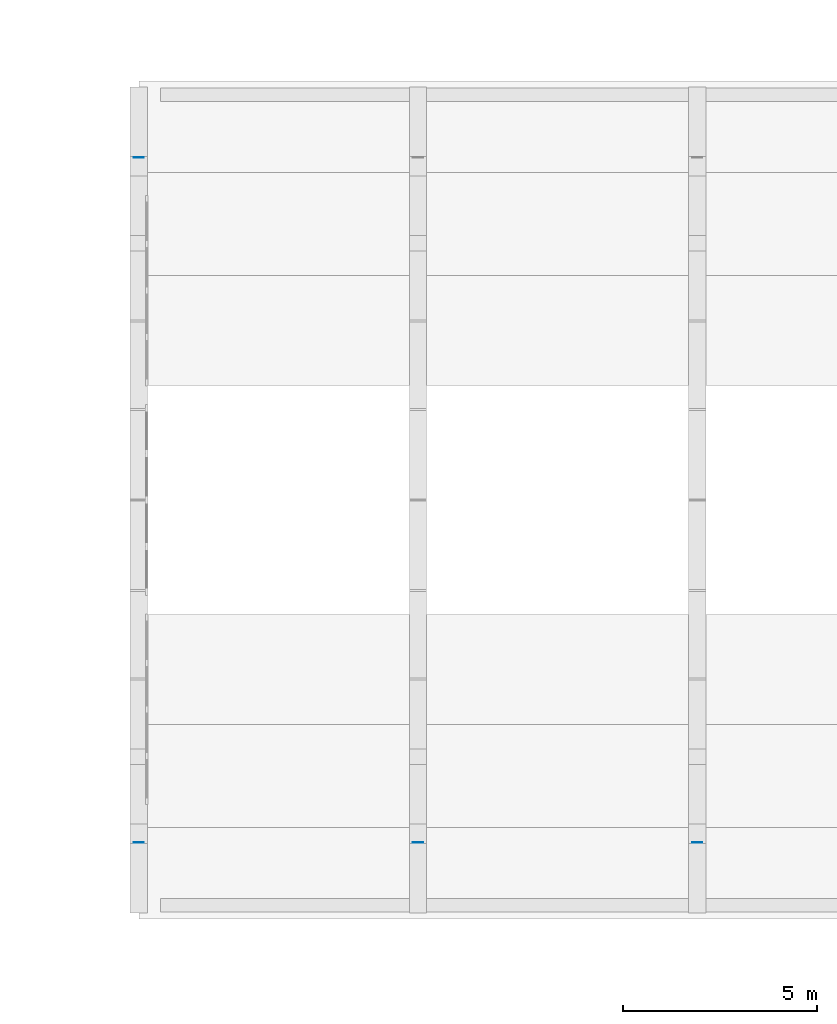
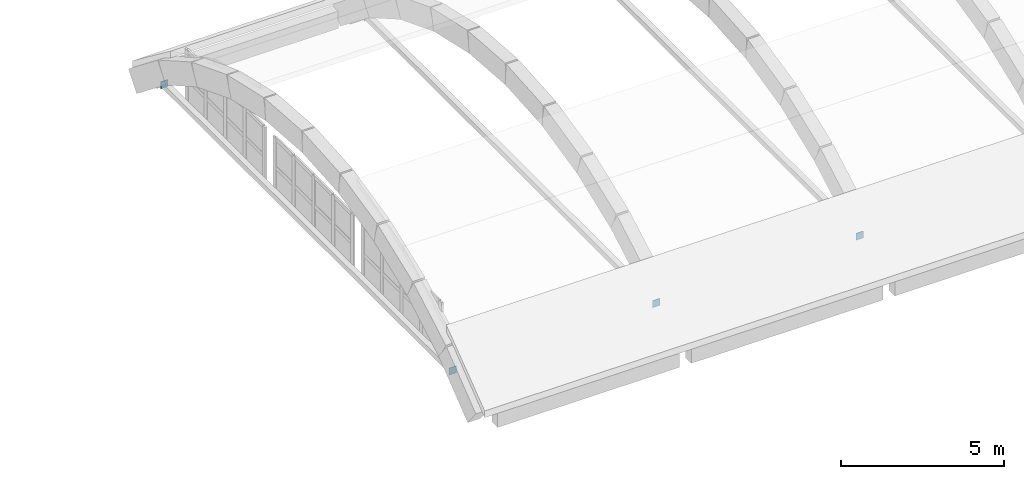
# One storey, part 53 of 73: 4 discrete accessories.
"""IFC4 building model written with IfcOpenShell, lengths in metres."""

from ifc_helpers import new_model, si_unit, derived_unit, direction, frame, origin, origin_2d, place, context, subcontext, project, spatial, rectangle, extrude, material, type_object, element, save


model = new_model("IFC4")

# Units and contexts
model_context = context("Model", 3, precision=1e-05, world=origin(), true_north=direction((0.0, 1.0)))
body_context = subcontext(model_context, "Body", "Model", "MODEL_VIEW")
ifc_project = project(units=[si_unit("LENGTHUNIT", "METRE"), si_unit("AREAUNIT", "SQUARE_METRE"), si_unit("VOLUMEUNIT", "CUBIC_METRE"), si_unit("PLANEANGLEUNIT", "RADIAN"), si_unit("MASSUNIT", "GRAM", prefix="KILO"), derived_unit("THERMALTRANSMITTANCEUNIT", [(si_unit("MASSUNIT", "GRAM", prefix="KILO"), 1), (si_unit("TIMEUNIT", "SECOND"), -3), (si_unit("THERMODYNAMICTEMPERATUREUNIT", "KELVIN"), -1)])], contexts=[model_context])

# Site, building, storey
site_placement = place(None, origin())
site = spatial("IfcSite", under=ifc_project, at=site_placement, CompositionType="ELEMENT")
building_placement = place(site_placement, origin())
building = spatial("IfcBuilding", under=site, at=building_placement, Name="Ochrekiln Boulevard Commons", CompositionType="ELEMENT")
storey_placement = place(building_placement, frame((0.0, 0.0, 8.574951171875)))
storey = spatial("IfcBuildingStorey", under=building, at=storey_placement, Name="L02", CompositionType="ELEMENT", Elevation=8.574951171875)

# Discrete accessories
ifc_material = material(Name="Steel A992 Grade 50", Category="steel")
discrete_accessory_type = type_object("IfcDiscreteAccessoryType", Name="ACC-GUS-PLATE", PredefinedType="BRACKET", material=ifc_material)
for number, where, z_axis, x_axis, name in (
    (1, (57.60009765625, 37.969970703125, 0.19482421875), (0.0, 0.0, 1.0), (1.0, 0.0, 0.0), "Vault Tie Rod 1S 20 mm Seal End-Cap Connection Plate"),
    (2, (57.60009765625, 55.6298828125, 0.19482421875), (0.0, 0.0, 1.0), (1.0, 0.0, 0.0), "Vault Tie Rod 1N 20 mm Seal End-Cap Connection Plate"),
    (3, (64.800048828125, 37.969970703125, 0.19482421875), (0.0, 0.0, 1.0), (1.0, 0.0, 0.0), "Vault Tie Rod 2S 20 mm Seal End-Cap Connection Plate"),
    (4, (72.0, 37.969970703125, 0.19482421875), (0.0, 0.0, 1.0), (1.0, 0.0, 0.0), "Vault Tie Rod 3S 20 mm Seal End-Cap Connection Plate"),
):
    element("IfcDiscreteAccessory", number, at=place(storey_placement, frame(where, z_axis=z_axis, x_axis=x_axis)), inside=storey, type_object=discrete_accessory_type, Name=name, PredefinedType="BRACKET", context=body_context, shape_type="SweptSolid", body=[
        extrude(rectangle(XDim=0.260009765625, YDim=0.02001953125, at=origin_2d()), origin(), (0.0, 0.0, 1.0), 0.260009765625),
    ])

save(model, "model.ifc")
